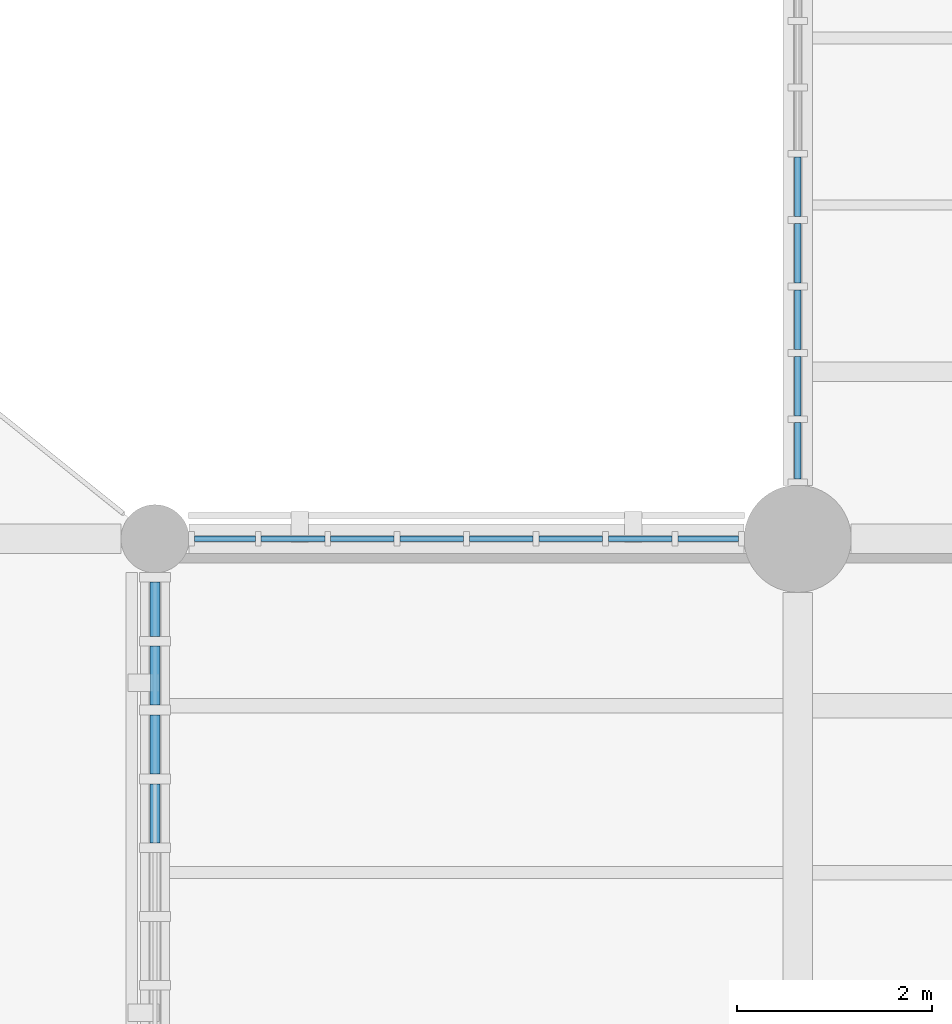
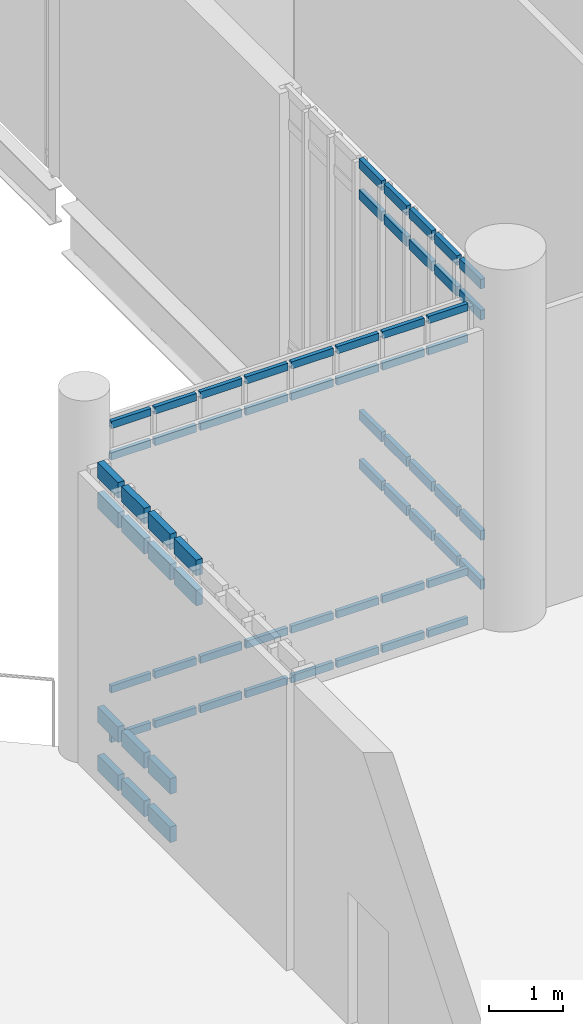
# One storey, part 51 of 135: 66 members, 3 elements without a shape of their own.
"""IFC4 building model written with IfcOpenShell, lengths in metres."""

from ifc_helpers import new_model, si_unit, direction, frame, origin, origin_2d, place, context, subcontext, project, spatial, rectangle, extrude, material, material_profile, profile_set, type_object, element, aggregate, save


model = new_model("IFC4")

# Units and contexts
model_context = context("Model", 3, precision=1e-05, world=origin(), true_north=direction((0.0, 1.0)))
body_context = subcontext(model_context, "Body", "Model", "MODEL_VIEW")
ifc_project = project(units=[si_unit("LENGTHUNIT", "METRE"), si_unit("AREAUNIT", "SQUARE_METRE"), si_unit("VOLUMEUNIT", "CUBIC_METRE"), si_unit("PLANEANGLEUNIT", "RADIAN"), si_unit("MASSUNIT", "GRAM", prefix="KILO")], contexts=[model_context])

# Site, building, storey
site_placement = place(None, origin())
site = spatial("IfcSite", under=ifc_project, at=site_placement, CompositionType="ELEMENT")
building_placement = place(site_placement, origin())
building = spatial("IfcBuilding", under=site, at=building_placement, Name="Larkvane Passage Sports Hall", CompositionType="ELEMENT")
storey_placement = place(building_placement, frame((0.0, 0.0, 10.800048828125)))
storey = spatial("IfcBuildingStorey", under=building, at=storey_placement, Name="L02", CompositionType="ELEMENT", Elevation=10.800048828125)

# Curtain wall, members
ifc_material_1 = material(Name="Thermally broken aluminium and low-E glazing", Category="aluminium")
curtain_wall_type_1 = type_object("IfcCurtainWallType", Name="CW-CLINIC", PredefinedType="USERDEFINED", material=ifc_material_1)
curtain_wall_1_placement = place(storey_placement, origin())
curtain_wall_1 = element("IfcCurtainWall", 1, at=curtain_wall_1_placement, inside=storey, type_object=curtain_wall_type_1, Name="Curtain wall CW5-L02-075", ObjectType="UNITISED CURTAIN WALL", PredefinedType="USERDEFINED")
ifc_material_2 = material(Name="Anodised aluminium 6063-T6", Category="aluminium")
ifc_material_profile_1 = material_profile(ifc_material_2, rectangle(XDim=0.10009765625, YDim=0.260009765625, at=origin_2d()), Name="ALU-TRN-100x260")
ifc_profile_set_1 = profile_set([ifc_material_profile_1], Name="Anodised aluminium 6063-T6")
member_type_1 = type_object("IfcMemberType", Name="CW-TRN-100x260", PredefinedType="USERDEFINED", material=ifc_profile_set_1)
member_1_placement = place(storey_placement, frame((118.0, 48.47705078125, 4.39794921875), z_axis=(0.0, 1.0, 0.0), x_axis=(-1.0, 0.0, 0.0)))
member_1 = element("IfcMember", 2, at=member_1_placement, type_object=member_type_1, Name="CW-05 transom 5.3", ObjectType="TRANSOM", PredefinedType="USERDEFINED", context=body_context, shape_type="SweptSolid", body=[
    extrude(rectangle(XDim=0.10009765625, YDim=0.260009765625, at=origin_2d()), origin(), (0.0, 0.0, 1.0), 0.606689453125),
])
member_2_placement = place(storey_placement, frame((118.0, 48.47705078125, 4.89794921875), z_axis=(0.0, 1.0, 0.0), x_axis=(-1.0, 0.0, 0.0)))
member_2 = element("IfcMember", 3, at=member_2_placement, type_object=member_type_1, Name="CW-05 transom 5.4", ObjectType="TRANSOM", PredefinedType="USERDEFINED", context=body_context, shape_type="SweptSolid", body=[
    extrude(rectangle(XDim=0.10009765625, YDim=0.260009765625, at=origin_2d()), origin(), (0.0, 0.0, 1.0), 0.606689453125),
])
member_3_placement = place(storey_placement, frame((118.0, 49.183837890625, 0.050048828125), z_axis=(0.0, 1.0, 0.0), x_axis=(-1.0, 0.0, 0.0)))
member_3 = element("IfcMember", 4, at=member_3_placement, type_object=member_type_1, Name="CW-05 transom 6.1", ObjectType="TRANSOM", PredefinedType="USERDEFINED", context=body_context, shape_type="SweptSolid", body=[
    extrude(rectangle(XDim=0.10009765625, YDim=0.260009765625, at=origin_2d()), origin(), (0.0, 0.0, 1.0), 0.606689453125),
])
member_4_placement = place(storey_placement, frame((118.0, 49.183837890625, 0.849853515625), z_axis=(0.0, 1.0, 0.0), x_axis=(-1.0, 0.0, 0.0)))
member_4 = element("IfcMember", 5, at=member_4_placement, type_object=member_type_1, Name="CW-05 transom 6.2", ObjectType="TRANSOM", PredefinedType="USERDEFINED", context=body_context, shape_type="SweptSolid", body=[
    extrude(rectangle(XDim=0.10009765625, YDim=0.260009765625, at=origin_2d()), origin(), (0.0, 0.0, 1.0), 0.606689453125),
])
member_5_placement = place(storey_placement, frame((118.0, 49.183837890625, 4.39794921875), z_axis=(0.0, 1.0, 0.0), x_axis=(-1.0, 0.0, 0.0)))
member_5 = element("IfcMember", 6, at=member_5_placement, type_object=member_type_1, Name="CW-05 transom 6.3", ObjectType="TRANSOM", PredefinedType="USERDEFINED", context=body_context, shape_type="SweptSolid", body=[
    extrude(rectangle(XDim=0.10009765625, YDim=0.260009765625, at=origin_2d()), origin(), (0.0, 0.0, 1.0), 0.606689453125),
])
member_6_placement = place(storey_placement, frame((118.0, 49.183837890625, 4.89794921875), z_axis=(0.0, 1.0, 0.0), x_axis=(-1.0, 0.0, 0.0)))
member_6 = element("IfcMember", 7, at=member_6_placement, type_object=member_type_1, Name="CW-05 transom 6.4", ObjectType="TRANSOM", PredefinedType="USERDEFINED", context=body_context, shape_type="SweptSolid", body=[
    extrude(rectangle(XDim=0.10009765625, YDim=0.260009765625, at=origin_2d()), origin(), (0.0, 0.0, 1.0), 0.606689453125),
])
member_7_placement = place(storey_placement, frame((118.0, 49.890380859375, 0.050048828125), z_axis=(0.0, 1.0, 0.0), x_axis=(-1.0, 0.0, 0.0)))
member_7 = element("IfcMember", 8, at=member_7_placement, type_object=member_type_1, Name="CW-05 transom 7.1", ObjectType="TRANSOM", PredefinedType="USERDEFINED", context=body_context, shape_type="SweptSolid", body=[
    extrude(rectangle(XDim=0.10009765625, YDim=0.260009765625, at=origin_2d()), origin(), (0.0, 0.0, 1.0), 0.60693359375),
])
member_8_placement = place(storey_placement, frame((118.0, 49.890380859375, 0.849853515625), z_axis=(0.0, 1.0, 0.0), x_axis=(-1.0, 0.0, 0.0)))
member_8 = element("IfcMember", 9, at=member_8_placement, type_object=member_type_1, Name="CW-05 transom 7.2", ObjectType="TRANSOM", PredefinedType="USERDEFINED", context=body_context, shape_type="SweptSolid", body=[
    extrude(rectangle(XDim=0.10009765625, YDim=0.260009765625, at=origin_2d()), origin(), (0.0, 0.0, 1.0), 0.60693359375),
])
member_9_placement = place(storey_placement, frame((118.0, 49.890380859375, 4.39794921875), z_axis=(0.0, 1.0, 0.0), x_axis=(-1.0, 0.0, 0.0)))
member_9 = element("IfcMember", 10, at=member_9_placement, type_object=member_type_1, Name="CW-05 transom 7.3", ObjectType="TRANSOM", PredefinedType="USERDEFINED", context=body_context, shape_type="SweptSolid", body=[
    extrude(rectangle(XDim=0.10009765625, YDim=0.260009765625, at=origin_2d()), origin(), (0.0, 0.0, 1.0), 0.60693359375),
])
member_10_placement = place(storey_placement, frame((118.0, 49.890380859375, 4.89794921875), z_axis=(0.0, 1.0, 0.0), x_axis=(-1.0, 0.0, 0.0)))
member_10 = element("IfcMember", 11, at=member_10_placement, type_object=member_type_1, Name="CW-05 transom 7.4", ObjectType="TRANSOM", PredefinedType="USERDEFINED", context=body_context, shape_type="SweptSolid", body=[
    extrude(rectangle(XDim=0.10009765625, YDim=0.260009765625, at=origin_2d()), origin(), (0.0, 0.0, 1.0), 0.60693359375),
])
member_11_placement = place(storey_placement, frame((118.0, 50.59716796875, 0.050048828125), z_axis=(0.0, 1.0, 0.0), x_axis=(-1.0, 0.0, 0.0)))
member_11 = element("IfcMember", 12, at=member_11_placement, type_object=member_type_1, Name="CW-05 transom 8.1", ObjectType="TRANSOM", PredefinedType="USERDEFINED", context=body_context, shape_type="SweptSolid", body=[
    extrude(rectangle(XDim=0.10009765625, YDim=0.260009765625, at=origin_2d()), origin(), (0.0, 0.0, 1.0), 0.556884765625),
])
member_12_placement = place(storey_placement, frame((118.0, 50.59716796875, 0.849853515625), z_axis=(0.0, 1.0, 0.0), x_axis=(-1.0, 0.0, 0.0)))
member_12 = element("IfcMember", 13, at=member_12_placement, type_object=member_type_1, Name="CW-05 transom 8.2", ObjectType="TRANSOM", PredefinedType="USERDEFINED", context=body_context, shape_type="SweptSolid", body=[
    extrude(rectangle(XDim=0.10009765625, YDim=0.260009765625, at=origin_2d()), origin(), (0.0, 0.0, 1.0), 0.556884765625),
])
member_13_placement = place(storey_placement, frame((118.0, 50.59716796875, 4.39794921875), z_axis=(0.0, 1.0, 0.0), x_axis=(-1.0, 0.0, 0.0)))
member_13 = element("IfcMember", 14, at=member_13_placement, type_object=member_type_1, Name="CW-05 transom 8.3", ObjectType="TRANSOM", PredefinedType="USERDEFINED", context=body_context, shape_type="SweptSolid", body=[
    extrude(rectangle(XDim=0.10009765625, YDim=0.260009765625, at=origin_2d()), origin(), (0.0, 0.0, 1.0), 0.556884765625),
])
member_14_placement = place(storey_placement, frame((118.0, 50.59716796875, 4.89794921875), z_axis=(0.0, 1.0, 0.0), x_axis=(-1.0, 0.0, 0.0)))
member_14 = element("IfcMember", 15, at=member_14_placement, type_object=member_type_1, Name="CW-05 transom 8.4", ObjectType="TRANSOM", PredefinedType="USERDEFINED", context=body_context, shape_type="SweptSolid", body=[
    extrude(rectangle(XDim=0.10009765625, YDim=0.260009765625, at=origin_2d()), origin(), (0.0, 0.0, 1.0), 0.556884765625),
])
aggregate(curtain_wall_1, [member_1, member_2, member_3, member_4, member_5, member_6, member_7, member_8, member_9, member_10, member_11, member_12, member_13, member_14])

curtain_wall_type_2 = type_object("IfcCurtainWallType", Name="CW-UNIT-COURT", PredefinedType="USERDEFINED", material=ifc_material_1)
curtain_wall_2_placement = place(storey_placement, origin())
curtain_wall_2 = element("IfcCurtainWall", 16, at=curtain_wall_2_placement, inside=storey, type_object=curtain_wall_type_2, Name="Curtain wall CW5-L02-076", ObjectType="UNITISED CURTAIN WALL", PredefinedType="USERDEFINED")
ifc_material_profile_2 = material_profile(ifc_material_2, rectangle(XDim=0.06005859375, YDim=0.1201171875, at=origin_2d()), Name="ALU-TRN-60x120")
ifc_profile_set_2 = profile_set([ifc_material_profile_2], Name="Anodised aluminium 6063-T6")
member_type_2 = type_object("IfcMemberType", Name="CW-TRN-60x120", PredefinedType="USERDEFINED", material=ifc_profile_set_2)
member_15_placement = place(storey_placement, frame((118.406005859375, 51.60009765625, 0.030029296875), z_axis=(1.0, 0.0, 0.0), x_axis=(0.0, 1.0, 0.0)))
member_15 = element("IfcMember", 17, at=member_15_placement, type_object=member_type_2, Name="CW-01 transom 1.1", ObjectType="TRANSOM", PredefinedType="USERDEFINED", context=body_context, shape_type="SweptSolid", body=[
    extrude(rectangle(XDim=0.06005859375, YDim=0.1201171875, at=origin_2d()), origin(), (0.0, 0.0, 1.0), 0.62353515625),
])
member_16_placement = place(storey_placement, frame((118.406005859375, 51.60009765625, 0.849853515625), z_axis=(1.0, 0.0, 0.0), x_axis=(0.0, 1.0, 0.0)))
member_16 = element("IfcMember", 18, at=member_16_placement, type_object=member_type_2, Name="CW-01 transom 1.2", ObjectType="TRANSOM", PredefinedType="USERDEFINED", context=body_context, shape_type="SweptSolid", body=[
    extrude(rectangle(XDim=0.06005859375, YDim=0.1201171875, at=origin_2d()), origin(), (0.0, 0.0, 1.0), 0.62353515625),
])
member_17_placement = place(storey_placement, frame((118.406005859375, 51.60009765625, 4.7080078125), z_axis=(1.0, 0.0, 0.0), x_axis=(0.0, 1.0, 0.0)))
member_17 = element("IfcMember", 19, at=member_17_placement, type_object=member_type_2, Name="CW-01 transom 1.3", ObjectType="TRANSOM", PredefinedType="USERDEFINED", context=body_context, shape_type="SweptSolid", body=[
    extrude(rectangle(XDim=0.06005859375, YDim=0.1201171875, at=origin_2d()), origin(), (0.0, 0.0, 1.0), 0.62353515625),
])
member_18_placement = place(storey_placement, frame((118.406005859375, 51.60009765625, 5.22802734375), z_axis=(1.0, 0.0, 0.0), x_axis=(0.0, 1.0, 0.0)))
member_18 = element("IfcMember", 20, at=member_18_placement, type_object=member_type_2, Name="CW-01 transom 1.4", ObjectType="TRANSOM", PredefinedType="USERDEFINED", context=body_context, shape_type="SweptSolid", body=[
    extrude(rectangle(XDim=0.06005859375, YDim=0.1201171875, at=origin_2d()), origin(), (0.0, 0.0, 1.0), 0.62353515625),
])
member_19_placement = place(storey_placement, frame((119.089599609375, 51.60009765625, 0.030029296875), z_axis=(1.0, 0.0, 0.0), x_axis=(0.0, 1.0, 0.0)))
member_19 = element("IfcMember", 21, at=member_19_placement, type_object=member_type_2, Name="CW-01 transom 2.1", ObjectType="TRANSOM", PredefinedType="USERDEFINED", context=body_context, shape_type="SweptSolid", body=[
    extrude(rectangle(XDim=0.06005859375, YDim=0.1201171875, at=origin_2d()), origin(), (0.0, 0.0, 1.0), 0.6533203125),
])
member_20_placement = place(storey_placement, frame((119.089599609375, 51.60009765625, 0.849853515625), z_axis=(1.0, 0.0, 0.0), x_axis=(0.0, 1.0, 0.0)))
member_20 = element("IfcMember", 22, at=member_20_placement, type_object=member_type_2, Name="CW-01 transom 2.2", ObjectType="TRANSOM", PredefinedType="USERDEFINED", context=body_context, shape_type="SweptSolid", body=[
    extrude(rectangle(XDim=0.06005859375, YDim=0.1201171875, at=origin_2d()), origin(), (0.0, 0.0, 1.0), 0.6533203125),
])
member_21_placement = place(storey_placement, frame((119.089599609375, 51.60009765625, 4.7080078125), z_axis=(1.0, 0.0, 0.0), x_axis=(0.0, 1.0, 0.0)))
member_21 = element("IfcMember", 23, at=member_21_placement, type_object=member_type_2, Name="CW-01 transom 2.3", ObjectType="TRANSOM", PredefinedType="USERDEFINED", context=body_context, shape_type="SweptSolid", body=[
    extrude(rectangle(XDim=0.06005859375, YDim=0.1201171875, at=origin_2d()), origin(), (0.0, 0.0, 1.0), 0.6533203125),
])
member_22_placement = place(storey_placement, frame((119.089599609375, 51.60009765625, 5.22802734375), z_axis=(1.0, 0.0, 0.0), x_axis=(0.0, 1.0, 0.0)))
member_22 = element("IfcMember", 24, at=member_22_placement, type_object=member_type_2, Name="CW-01 transom 2.4", ObjectType="TRANSOM", PredefinedType="USERDEFINED", context=body_context, shape_type="SweptSolid", body=[
    extrude(rectangle(XDim=0.06005859375, YDim=0.1201171875, at=origin_2d()), origin(), (0.0, 0.0, 1.0), 0.6533203125),
])
member_23_placement = place(storey_placement, frame((119.802978515625, 51.60009765625, 0.030029296875), z_axis=(1.0, 0.0, 0.0), x_axis=(0.0, 1.0, 0.0)))
member_23 = element("IfcMember", 25, at=member_23_placement, type_object=member_type_2, Name="CW-01 transom 3.1", ObjectType="TRANSOM", PredefinedType="USERDEFINED", context=body_context, shape_type="SweptSolid", body=[
    extrude(rectangle(XDim=0.06005859375, YDim=0.1201171875, at=origin_2d()), origin(), (0.0, 0.0, 1.0), 0.653564453125),
])
member_24_placement = place(storey_placement, frame((119.802978515625, 51.60009765625, 0.849853515625), z_axis=(1.0, 0.0, 0.0), x_axis=(0.0, 1.0, 0.0)))
member_24 = element("IfcMember", 26, at=member_24_placement, type_object=member_type_2, Name="CW-01 transom 3.2", ObjectType="TRANSOM", PredefinedType="USERDEFINED", context=body_context, shape_type="SweptSolid", body=[
    extrude(rectangle(XDim=0.06005859375, YDim=0.1201171875, at=origin_2d()), origin(), (0.0, 0.0, 1.0), 0.653564453125),
])
member_25_placement = place(storey_placement, frame((119.802978515625, 51.60009765625, 4.7080078125), z_axis=(1.0, 0.0, 0.0), x_axis=(0.0, 1.0, 0.0)))
member_25 = element("IfcMember", 27, at=member_25_placement, type_object=member_type_2, Name="CW-01 transom 3.3", ObjectType="TRANSOM", PredefinedType="USERDEFINED", context=body_context, shape_type="SweptSolid", body=[
    extrude(rectangle(XDim=0.06005859375, YDim=0.1201171875, at=origin_2d()), origin(), (0.0, 0.0, 1.0), 0.653564453125),
])
member_26_placement = place(storey_placement, frame((119.802978515625, 51.60009765625, 5.22802734375), z_axis=(1.0, 0.0, 0.0), x_axis=(0.0, 1.0, 0.0)))
member_26 = element("IfcMember", 28, at=member_26_placement, type_object=member_type_2, Name="CW-01 transom 3.4", ObjectType="TRANSOM", PredefinedType="USERDEFINED", context=body_context, shape_type="SweptSolid", body=[
    extrude(rectangle(XDim=0.06005859375, YDim=0.1201171875, at=origin_2d()), origin(), (0.0, 0.0, 1.0), 0.653564453125),
])
member_27_placement = place(storey_placement, frame((120.5166015625, 51.60009765625, 0.030029296875), z_axis=(1.0, 0.0, 0.0), x_axis=(0.0, 1.0, 0.0)))
member_27 = element("IfcMember", 29, at=member_27_placement, type_object=member_type_2, Name="CW-01 transom 4.1", ObjectType="TRANSOM", PredefinedType="USERDEFINED", context=body_context, shape_type="SweptSolid", body=[
    extrude(rectangle(XDim=0.06005859375, YDim=0.1201171875, at=origin_2d()), origin(), (0.0, 0.0, 1.0), 0.6533203125),
])
member_28_placement = place(storey_placement, frame((120.5166015625, 51.60009765625, 0.849853515625), z_axis=(1.0, 0.0, 0.0), x_axis=(0.0, 1.0, 0.0)))
member_28 = element("IfcMember", 30, at=member_28_placement, type_object=member_type_2, Name="CW-01 transom 4.2", ObjectType="TRANSOM", PredefinedType="USERDEFINED", context=body_context, shape_type="SweptSolid", body=[
    extrude(rectangle(XDim=0.06005859375, YDim=0.1201171875, at=origin_2d()), origin(), (0.0, 0.0, 1.0), 0.6533203125),
])
member_29_placement = place(storey_placement, frame((120.5166015625, 51.60009765625, 4.7080078125), z_axis=(1.0, 0.0, 0.0), x_axis=(0.0, 1.0, 0.0)))
member_29 = element("IfcMember", 31, at=member_29_placement, type_object=member_type_2, Name="CW-01 transom 4.3", ObjectType="TRANSOM", PredefinedType="USERDEFINED", context=body_context, shape_type="SweptSolid", body=[
    extrude(rectangle(XDim=0.06005859375, YDim=0.1201171875, at=origin_2d()), origin(), (0.0, 0.0, 1.0), 0.6533203125),
])
member_30_placement = place(storey_placement, frame((120.5166015625, 51.60009765625, 5.22802734375), z_axis=(1.0, 0.0, 0.0), x_axis=(0.0, 1.0, 0.0)))
member_30 = element("IfcMember", 32, at=member_30_placement, type_object=member_type_2, Name="CW-01 transom 4.4", ObjectType="TRANSOM", PredefinedType="USERDEFINED", context=body_context, shape_type="SweptSolid", body=[
    extrude(rectangle(XDim=0.06005859375, YDim=0.1201171875, at=origin_2d()), origin(), (0.0, 0.0, 1.0), 0.6533203125),
])
member_31_placement = place(storey_placement, frame((121.22998046875, 51.60009765625, 0.030029296875), z_axis=(1.0, 0.0, 0.0), x_axis=(0.0, 1.0, 0.0)))
member_31 = element("IfcMember", 33, at=member_31_placement, type_object=member_type_2, Name="CW-01 transom 5.1", ObjectType="TRANSOM", PredefinedType="USERDEFINED", context=body_context, shape_type="SweptSolid", body=[
    extrude(rectangle(XDim=0.06005859375, YDim=0.1201171875, at=origin_2d()), origin(), (0.0, 0.0, 1.0), 0.653564453125),
])
member_32_placement = place(storey_placement, frame((121.22998046875, 51.60009765625, 0.849853515625), z_axis=(1.0, 0.0, 0.0), x_axis=(0.0, 1.0, 0.0)))
member_32 = element("IfcMember", 34, at=member_32_placement, type_object=member_type_2, Name="CW-01 transom 5.2", ObjectType="TRANSOM", PredefinedType="USERDEFINED", context=body_context, shape_type="SweptSolid", body=[
    extrude(rectangle(XDim=0.06005859375, YDim=0.1201171875, at=origin_2d()), origin(), (0.0, 0.0, 1.0), 0.653564453125),
])
member_33_placement = place(storey_placement, frame((121.22998046875, 51.60009765625, 4.7080078125), z_axis=(1.0, 0.0, 0.0), x_axis=(0.0, 1.0, 0.0)))
member_33 = element("IfcMember", 35, at=member_33_placement, type_object=member_type_2, Name="CW-01 transom 5.3", ObjectType="TRANSOM", PredefinedType="USERDEFINED", context=body_context, shape_type="SweptSolid", body=[
    extrude(rectangle(XDim=0.06005859375, YDim=0.1201171875, at=origin_2d()), origin(), (0.0, 0.0, 1.0), 0.653564453125),
])
member_34_placement = place(storey_placement, frame((121.22998046875, 51.60009765625, 5.22802734375), z_axis=(1.0, 0.0, 0.0), x_axis=(0.0, 1.0, 0.0)))
member_34 = element("IfcMember", 36, at=member_34_placement, type_object=member_type_2, Name="CW-01 transom 5.4", ObjectType="TRANSOM", PredefinedType="USERDEFINED", context=body_context, shape_type="SweptSolid", body=[
    extrude(rectangle(XDim=0.06005859375, YDim=0.1201171875, at=origin_2d()), origin(), (0.0, 0.0, 1.0), 0.653564453125),
])
member_35_placement = place(storey_placement, frame((121.943603515625, 51.60009765625, 0.030029296875), z_axis=(1.0, 0.0, 0.0), x_axis=(0.0, 1.0, 0.0)))
member_35 = element("IfcMember", 37, at=member_35_placement, type_object=member_type_2, Name="CW-01 transom 6.1", ObjectType="TRANSOM", PredefinedType="USERDEFINED", context=body_context, shape_type="SweptSolid", body=[
    extrude(rectangle(XDim=0.06005859375, YDim=0.1201171875, at=origin_2d()), origin(), (0.0, 0.0, 1.0), 0.6533203125),
])
member_36_placement = place(storey_placement, frame((121.943603515625, 51.60009765625, 0.849853515625), z_axis=(1.0, 0.0, 0.0), x_axis=(0.0, 1.0, 0.0)))
member_36 = element("IfcMember", 38, at=member_36_placement, type_object=member_type_2, Name="CW-01 transom 6.2", ObjectType="TRANSOM", PredefinedType="USERDEFINED", context=body_context, shape_type="SweptSolid", body=[
    extrude(rectangle(XDim=0.06005859375, YDim=0.1201171875, at=origin_2d()), origin(), (0.0, 0.0, 1.0), 0.6533203125),
])
member_37_placement = place(storey_placement, frame((121.943603515625, 51.60009765625, 4.7080078125), z_axis=(1.0, 0.0, 0.0), x_axis=(0.0, 1.0, 0.0)))
member_37 = element("IfcMember", 39, at=member_37_placement, type_object=member_type_2, Name="CW-01 transom 6.3", ObjectType="TRANSOM", PredefinedType="USERDEFINED", context=body_context, shape_type="SweptSolid", body=[
    extrude(rectangle(XDim=0.06005859375, YDim=0.1201171875, at=origin_2d()), origin(), (0.0, 0.0, 1.0), 0.6533203125),
])
member_38_placement = place(storey_placement, frame((121.943603515625, 51.60009765625, 5.22802734375), z_axis=(1.0, 0.0, 0.0), x_axis=(0.0, 1.0, 0.0)))
member_38 = element("IfcMember", 40, at=member_38_placement, type_object=member_type_2, Name="CW-01 transom 6.4", ObjectType="TRANSOM", PredefinedType="USERDEFINED", context=body_context, shape_type="SweptSolid", body=[
    extrude(rectangle(XDim=0.06005859375, YDim=0.1201171875, at=origin_2d()), origin(), (0.0, 0.0, 1.0), 0.6533203125),
])
member_39_placement = place(storey_placement, frame((122.656982421875, 51.60009765625, 0.030029296875), z_axis=(1.0, 0.0, 0.0), x_axis=(0.0, 1.0, 0.0)))
member_39 = element("IfcMember", 41, at=member_39_placement, type_object=member_type_2, Name="CW-01 transom 7.1", ObjectType="TRANSOM", PredefinedType="USERDEFINED", context=body_context, shape_type="SweptSolid", body=[
    extrude(rectangle(XDim=0.06005859375, YDim=0.1201171875, at=origin_2d()), origin(), (0.0, 0.0, 1.0), 0.653564453125),
])
member_40_placement = place(storey_placement, frame((122.656982421875, 51.60009765625, 0.849853515625), z_axis=(1.0, 0.0, 0.0), x_axis=(0.0, 1.0, 0.0)))
member_40 = element("IfcMember", 42, at=member_40_placement, type_object=member_type_2, Name="CW-01 transom 7.2", ObjectType="TRANSOM", PredefinedType="USERDEFINED", context=body_context, shape_type="SweptSolid", body=[
    extrude(rectangle(XDim=0.06005859375, YDim=0.1201171875, at=origin_2d()), origin(), (0.0, 0.0, 1.0), 0.653564453125),
])
member_41_placement = place(storey_placement, frame((122.656982421875, 51.60009765625, 4.7080078125), z_axis=(1.0, 0.0, 0.0), x_axis=(0.0, 1.0, 0.0)))
member_41 = element("IfcMember", 43, at=member_41_placement, type_object=member_type_2, Name="CW-01 transom 7.3", ObjectType="TRANSOM", PredefinedType="USERDEFINED", context=body_context, shape_type="SweptSolid", body=[
    extrude(rectangle(XDim=0.06005859375, YDim=0.1201171875, at=origin_2d()), origin(), (0.0, 0.0, 1.0), 0.653564453125),
])
member_42_placement = place(storey_placement, frame((122.656982421875, 51.60009765625, 5.22802734375), z_axis=(1.0, 0.0, 0.0), x_axis=(0.0, 1.0, 0.0)))
member_42 = element("IfcMember", 44, at=member_42_placement, type_object=member_type_2, Name="CW-01 transom 7.4", ObjectType="TRANSOM", PredefinedType="USERDEFINED", context=body_context, shape_type="SweptSolid", body=[
    extrude(rectangle(XDim=0.06005859375, YDim=0.1201171875, at=origin_2d()), origin(), (0.0, 0.0, 1.0), 0.653564453125),
])
member_43_placement = place(storey_placement, frame((123.37060546875, 51.60009765625, 0.030029296875), z_axis=(1.0, 0.0, 0.0), x_axis=(0.0, 1.0, 0.0)))
member_43 = element("IfcMember", 45, at=member_43_placement, type_object=member_type_2, Name="CW-01 transom 8.1", ObjectType="TRANSOM", PredefinedType="USERDEFINED", context=body_context, shape_type="SweptSolid", body=[
    extrude(rectangle(XDim=0.06005859375, YDim=0.1201171875, at=origin_2d()), origin(), (0.0, 0.0, 1.0), 0.623291015625),
])
member_44_placement = place(storey_placement, frame((123.37060546875, 51.60009765625, 0.849853515625), z_axis=(1.0, 0.0, 0.0), x_axis=(0.0, 1.0, 0.0)))
member_44 = element("IfcMember", 46, at=member_44_placement, type_object=member_type_2, Name="CW-01 transom 8.2", ObjectType="TRANSOM", PredefinedType="USERDEFINED", context=body_context, shape_type="SweptSolid", body=[
    extrude(rectangle(XDim=0.06005859375, YDim=0.1201171875, at=origin_2d()), origin(), (0.0, 0.0, 1.0), 0.623291015625),
])
member_45_placement = place(storey_placement, frame((123.37060546875, 51.60009765625, 4.7080078125), z_axis=(1.0, 0.0, 0.0), x_axis=(0.0, 1.0, 0.0)))
member_45 = element("IfcMember", 47, at=member_45_placement, type_object=member_type_2, Name="CW-01 transom 8.3", ObjectType="TRANSOM", PredefinedType="USERDEFINED", context=body_context, shape_type="SweptSolid", body=[
    extrude(rectangle(XDim=0.06005859375, YDim=0.1201171875, at=origin_2d()), origin(), (0.0, 0.0, 1.0), 0.623291015625),
])
member_46_placement = place(storey_placement, frame((123.37060546875, 51.60009765625, 5.22802734375), z_axis=(1.0, 0.0, 0.0), x_axis=(0.0, 1.0, 0.0)))
member_46 = element("IfcMember", 48, at=member_46_placement, type_object=member_type_2, Name="CW-01 transom 8.4", ObjectType="TRANSOM", PredefinedType="USERDEFINED", context=body_context, shape_type="SweptSolid", body=[
    extrude(rectangle(XDim=0.06005859375, YDim=0.1201171875, at=origin_2d()), origin(), (0.0, 0.0, 1.0), 0.623291015625),
])
aggregate(curtain_wall_2, [member_15, member_16, member_17, member_18, member_19, member_20, member_21, member_22, member_23, member_24, member_25, member_26, member_27, member_28, member_29, member_30, member_31, member_32, member_33, member_34, member_35, member_36, member_37, member_38, member_39, member_40, member_41, member_42, member_43, member_44, member_45, member_46])

curtain_wall_type_3 = type_object("IfcCurtainWallType", Name="CW-UNIT-VEIL", PredefinedType="USERDEFINED", material=ifc_material_1)
curtain_wall_3_placement = place(storey_placement, origin())
curtain_wall_3 = element("IfcCurtainWall", 49, at=curtain_wall_3_placement, inside=storey, type_object=curtain_wall_type_3, Name="Curtain wall CW5-L02-077", ObjectType="UNITISED CURTAIN WALL", PredefinedType="USERDEFINED")
ifc_material_profile_3 = material_profile(ifc_material_2, rectangle(XDim=0.070068359375, YDim=0.159912109375, at=origin_2d()), Name="ALU-TRN-70x160")
ifc_profile_set_3 = profile_set([ifc_material_profile_3], Name="Anodised aluminium 6063-T6")
member_type_3 = type_object("IfcMemberType", Name="CW-TRN-70x160", PredefinedType="USERDEFINED", material=ifc_profile_set_3)
member_47_placement = place(storey_placement, frame((124.60009765625, 52.216064453125, 0.034912109375), z_axis=(0.0, 1.0, 0.0), x_axis=(-1.0, 0.0, 0.0)))
member_47 = element("IfcMember", 50, at=member_47_placement, type_object=member_type_3, Name="CW-02 transom 1.1", ObjectType="TRANSOM", PredefinedType="USERDEFINED", context=body_context, shape_type="SweptSolid", body=[
    extrude(rectangle(XDim=0.070068359375, YDim=0.159912109375, at=origin_2d()), origin(), (0.0, 0.0, 1.0), 0.57666015625),
])
member_48_placement = place(storey_placement, frame((124.60009765625, 52.216064453125, 0.849853515625), z_axis=(0.0, 1.0, 0.0), x_axis=(-1.0, 0.0, 0.0)))
member_48 = element("IfcMember", 51, at=member_48_placement, type_object=member_type_3, Name="CW-02 transom 1.2", ObjectType="TRANSOM", PredefinedType="USERDEFINED", context=body_context, shape_type="SweptSolid", body=[
    extrude(rectangle(XDim=0.070068359375, YDim=0.159912109375, at=origin_2d()), origin(), (0.0, 0.0, 1.0), 0.57666015625),
])
member_49_placement = place(storey_placement, frame((124.60009765625, 52.216064453125, 4.498046875), z_axis=(0.0, 1.0, 0.0), x_axis=(-1.0, 0.0, 0.0)))
member_49 = element("IfcMember", 52, at=member_49_placement, type_object=member_type_3, Name="CW-02 transom 1.3", ObjectType="TRANSOM", PredefinedType="USERDEFINED", context=body_context, shape_type="SweptSolid", body=[
    extrude(rectangle(XDim=0.070068359375, YDim=0.159912109375, at=origin_2d()), origin(), (0.0, 0.0, 1.0), 0.57666015625),
])
member_50_placement = place(storey_placement, frame((124.60009765625, 52.216064453125, 5.012939453125), z_axis=(0.0, 1.0, 0.0), x_axis=(-1.0, 0.0, 0.0)))
member_50 = element("IfcMember", 53, at=member_50_placement, type_object=member_type_3, Name="CW-02 transom 1.4", ObjectType="TRANSOM", PredefinedType="USERDEFINED", context=body_context, shape_type="SweptSolid", body=[
    extrude(rectangle(XDim=0.070068359375, YDim=0.159912109375, at=origin_2d()), origin(), (0.0, 0.0, 1.0), 0.57666015625),
])
member_51_placement = place(storey_placement, frame((124.60009765625, 52.86279296875, 0.034912109375), z_axis=(0.0, 1.0, 0.0), x_axis=(-1.0, 0.0, 0.0)))
member_51 = element("IfcMember", 54, at=member_51_placement, type_object=member_type_3, Name="CW-02 transom 2.1", ObjectType="TRANSOM", PredefinedType="USERDEFINED", context=body_context, shape_type="SweptSolid", body=[
    extrude(rectangle(XDim=0.070068359375, YDim=0.159912109375, at=origin_2d()), origin(), (0.0, 0.0, 1.0), 0.61181640625),
])
member_52_placement = place(storey_placement, frame((124.60009765625, 52.86279296875, 0.849853515625), z_axis=(0.0, 1.0, 0.0), x_axis=(-1.0, 0.0, 0.0)))
member_52 = element("IfcMember", 55, at=member_52_placement, type_object=member_type_3, Name="CW-02 transom 2.2", ObjectType="TRANSOM", PredefinedType="USERDEFINED", context=body_context, shape_type="SweptSolid", body=[
    extrude(rectangle(XDim=0.070068359375, YDim=0.159912109375, at=origin_2d()), origin(), (0.0, 0.0, 1.0), 0.61181640625),
])
member_53_placement = place(storey_placement, frame((124.60009765625, 52.86279296875, 4.498046875), z_axis=(0.0, 1.0, 0.0), x_axis=(-1.0, 0.0, 0.0)))
member_53 = element("IfcMember", 56, at=member_53_placement, type_object=member_type_3, Name="CW-02 transom 2.3", ObjectType="TRANSOM", PredefinedType="USERDEFINED", context=body_context, shape_type="SweptSolid", body=[
    extrude(rectangle(XDim=0.070068359375, YDim=0.159912109375, at=origin_2d()), origin(), (0.0, 0.0, 1.0), 0.61181640625),
])
member_54_placement = place(storey_placement, frame((124.60009765625, 52.86279296875, 5.012939453125), z_axis=(0.0, 1.0, 0.0), x_axis=(-1.0, 0.0, 0.0)))
member_54 = element("IfcMember", 57, at=member_54_placement, type_object=member_type_3, Name="CW-02 transom 2.4", ObjectType="TRANSOM", PredefinedType="USERDEFINED", context=body_context, shape_type="SweptSolid", body=[
    extrude(rectangle(XDim=0.070068359375, YDim=0.159912109375, at=origin_2d()), origin(), (0.0, 0.0, 1.0), 0.61181640625),
])
member_55_placement = place(storey_placement, frame((124.60009765625, 53.54443359375, 0.034912109375), z_axis=(0.0, 1.0, 0.0), x_axis=(-1.0, 0.0, 0.0)))
member_55 = element("IfcMember", 58, at=member_55_placement, type_object=member_type_3, Name="CW-02 transom 3.1", ObjectType="TRANSOM", PredefinedType="USERDEFINED", context=body_context, shape_type="SweptSolid", body=[
    extrude(rectangle(XDim=0.070068359375, YDim=0.159912109375, at=origin_2d()), origin(), (0.0, 0.0, 1.0), 0.61181640625),
])
member_56_placement = place(storey_placement, frame((124.60009765625, 53.54443359375, 0.849853515625), z_axis=(0.0, 1.0, 0.0), x_axis=(-1.0, 0.0, 0.0)))
member_56 = element("IfcMember", 59, at=member_56_placement, type_object=member_type_3, Name="CW-02 transom 3.2", ObjectType="TRANSOM", PredefinedType="USERDEFINED", context=body_context, shape_type="SweptSolid", body=[
    extrude(rectangle(XDim=0.070068359375, YDim=0.159912109375, at=origin_2d()), origin(), (0.0, 0.0, 1.0), 0.61181640625),
])
member_57_placement = place(storey_placement, frame((124.60009765625, 53.54443359375, 4.498046875), z_axis=(0.0, 1.0, 0.0), x_axis=(-1.0, 0.0, 0.0)))
member_57 = element("IfcMember", 60, at=member_57_placement, type_object=member_type_3, Name="CW-02 transom 3.3", ObjectType="TRANSOM", PredefinedType="USERDEFINED", context=body_context, shape_type="SweptSolid", body=[
    extrude(rectangle(XDim=0.070068359375, YDim=0.159912109375, at=origin_2d()), origin(), (0.0, 0.0, 1.0), 0.61181640625),
])
member_58_placement = place(storey_placement, frame((124.60009765625, 53.54443359375, 5.012939453125), z_axis=(0.0, 1.0, 0.0), x_axis=(-1.0, 0.0, 0.0)))
member_58 = element("IfcMember", 61, at=member_58_placement, type_object=member_type_3, Name="CW-02 transom 3.4", ObjectType="TRANSOM", PredefinedType="USERDEFINED", context=body_context, shape_type="SweptSolid", body=[
    extrude(rectangle(XDim=0.070068359375, YDim=0.159912109375, at=origin_2d()), origin(), (0.0, 0.0, 1.0), 0.61181640625),
])
member_59_placement = place(storey_placement, frame((124.60009765625, 54.226318359375, 0.034912109375), z_axis=(0.0, 1.0, 0.0), x_axis=(-1.0, 0.0, 0.0)))
member_59 = element("IfcMember", 62, at=member_59_placement, type_object=member_type_3, Name="CW-02 transom 4.1", ObjectType="TRANSOM", PredefinedType="USERDEFINED", context=body_context, shape_type="SweptSolid", body=[
    extrude(rectangle(XDim=0.070068359375, YDim=0.159912109375, at=origin_2d()), origin(), (0.0, 0.0, 1.0), 0.611572265625),
])
member_60_placement = place(storey_placement, frame((124.60009765625, 54.226318359375, 0.849853515625), z_axis=(0.0, 1.0, 0.0), x_axis=(-1.0, 0.0, 0.0)))
member_60 = element("IfcMember", 63, at=member_60_placement, type_object=member_type_3, Name="CW-02 transom 4.2", ObjectType="TRANSOM", PredefinedType="USERDEFINED", context=body_context, shape_type="SweptSolid", body=[
    extrude(rectangle(XDim=0.070068359375, YDim=0.159912109375, at=origin_2d()), origin(), (0.0, 0.0, 1.0), 0.611572265625),
])
member_61_placement = place(storey_placement, frame((124.60009765625, 54.226318359375, 4.498046875), z_axis=(0.0, 1.0, 0.0), x_axis=(-1.0, 0.0, 0.0)))
member_61 = element("IfcMember", 64, at=member_61_placement, type_object=member_type_3, Name="CW-02 transom 4.3", ObjectType="TRANSOM", PredefinedType="USERDEFINED", context=body_context, shape_type="SweptSolid", body=[
    extrude(rectangle(XDim=0.070068359375, YDim=0.159912109375, at=origin_2d()), origin(), (0.0, 0.0, 1.0), 0.611572265625),
])
member_62_placement = place(storey_placement, frame((124.60009765625, 54.226318359375, 5.012939453125), z_axis=(0.0, 1.0, 0.0), x_axis=(-1.0, 0.0, 0.0)))
member_62 = element("IfcMember", 65, at=member_62_placement, type_object=member_type_3, Name="CW-02 transom 4.4", ObjectType="TRANSOM", PredefinedType="USERDEFINED", context=body_context, shape_type="SweptSolid", body=[
    extrude(rectangle(XDim=0.070068359375, YDim=0.159912109375, at=origin_2d()), origin(), (0.0, 0.0, 1.0), 0.611572265625),
])
member_63_placement = place(storey_placement, frame((124.60009765625, 54.907958984375, 0.034912109375), z_axis=(0.0, 1.0, 0.0), x_axis=(-1.0, 0.0, 0.0)))
member_63 = element("IfcMember", 66, at=member_63_placement, type_object=member_type_3, Name="CW-02 transom 5.1", ObjectType="TRANSOM", PredefinedType="USERDEFINED", context=body_context, shape_type="SweptSolid", body=[
    extrude(rectangle(XDim=0.070068359375, YDim=0.159912109375, at=origin_2d()), origin(), (0.0, 0.0, 1.0), 0.61181640625),
])
member_64_placement = place(storey_placement, frame((124.60009765625, 54.907958984375, 0.849853515625), z_axis=(0.0, 1.0, 0.0), x_axis=(-1.0, 0.0, 0.0)))
member_64 = element("IfcMember", 67, at=member_64_placement, type_object=member_type_3, Name="CW-02 transom 5.2", ObjectType="TRANSOM", PredefinedType="USERDEFINED", context=body_context, shape_type="SweptSolid", body=[
    extrude(rectangle(XDim=0.070068359375, YDim=0.159912109375, at=origin_2d()), origin(), (0.0, 0.0, 1.0), 0.61181640625),
])
member_65_placement = place(storey_placement, frame((124.60009765625, 54.907958984375, 4.498046875), z_axis=(0.0, 1.0, 0.0), x_axis=(-1.0, 0.0, 0.0)))
member_65 = element("IfcMember", 68, at=member_65_placement, type_object=member_type_3, Name="CW-02 transom 5.3", ObjectType="TRANSOM", PredefinedType="USERDEFINED", context=body_context, shape_type="SweptSolid", body=[
    extrude(rectangle(XDim=0.070068359375, YDim=0.159912109375, at=origin_2d()), origin(), (0.0, 0.0, 1.0), 0.61181640625),
])
member_66_placement = place(storey_placement, frame((124.60009765625, 54.907958984375, 5.012939453125), z_axis=(0.0, 1.0, 0.0), x_axis=(-1.0, 0.0, 0.0)))
member_66 = element("IfcMember", 69, at=member_66_placement, type_object=member_type_3, Name="CW-02 transom 5.4", ObjectType="TRANSOM", PredefinedType="USERDEFINED", context=body_context, shape_type="SweptSolid", body=[
    extrude(rectangle(XDim=0.070068359375, YDim=0.159912109375, at=origin_2d()), origin(), (0.0, 0.0, 1.0), 0.61181640625),
])
aggregate(curtain_wall_3, [member_47, member_48, member_49, member_50, member_51, member_52, member_53, member_54, member_55, member_56, member_57, member_58, member_59, member_60, member_61, member_62, member_63, member_64, member_65, member_66])

save(model, "model.ifc")
